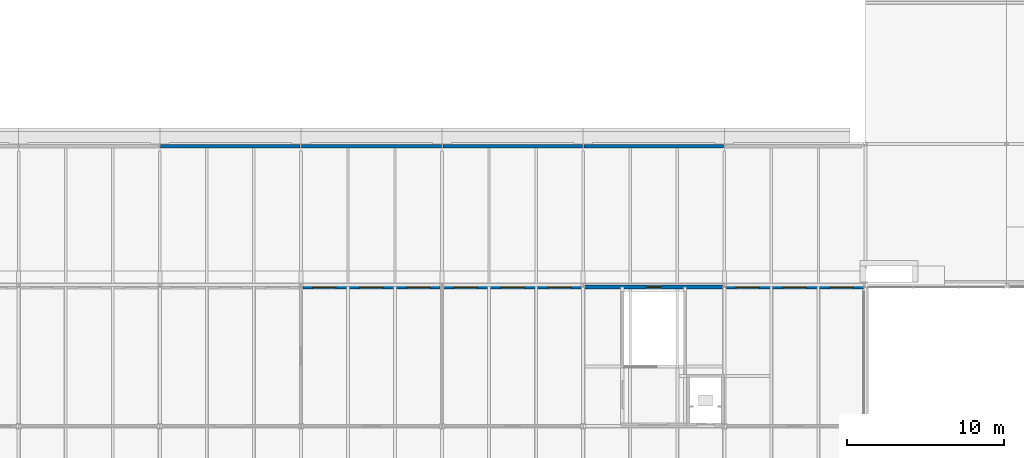
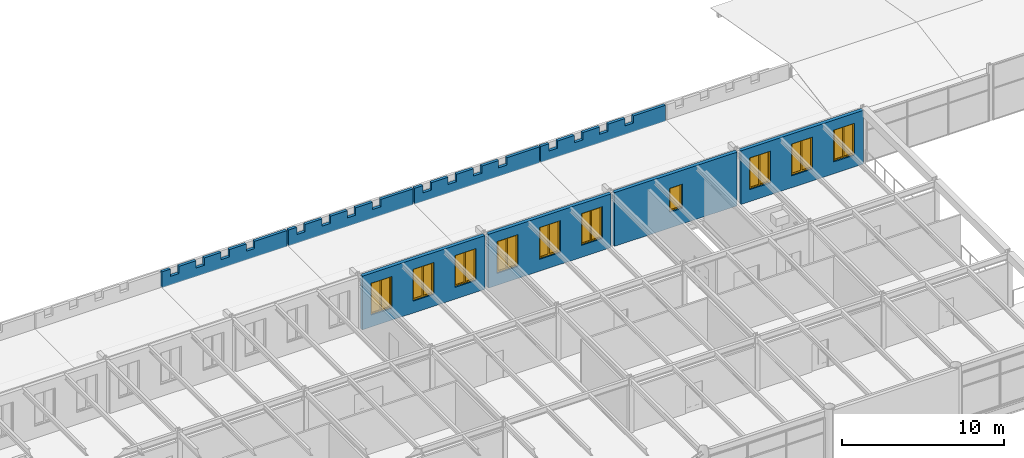
# One storey, part 75 of 123: 10 windows, 8 walls, 10 openings.
"""IFC4 building model written with IfcOpenShell, lengths in metres."""

from ifc_helpers import new_model, si_unit, direction, frame, frame_2d, origin, place, context, subcontext, project, spatial, polyline, rectangle, outline, extrude, material, layer, layer_set, type_object, element, fill, save


model = new_model("IFC4")

# Units and contexts
model_context = context("Model", 3, precision=1e-05, world=origin(), true_north=direction((0.0, 1.0)))
body_context = subcontext(model_context, "Body", "Model", "MODEL_VIEW")
ifc_project = project(units=[si_unit("LENGTHUNIT", "METRE"), si_unit("AREAUNIT", "SQUARE_METRE"), si_unit("VOLUMEUNIT", "CUBIC_METRE"), si_unit("PLANEANGLEUNIT", "RADIAN"), si_unit("MASSUNIT", "GRAM", prefix="KILO")], contexts=[model_context])

# Site, building, storey
site_placement = place(None, origin())
site = spatial("IfcSite", under=ifc_project, at=site_placement, CompositionType="ELEMENT")
building_placement = place(site_placement, origin())
building = spatial("IfcBuilding", under=site, at=building_placement, Name="Baradari Gate Terminus", CompositionType="ELEMENT")
storey_placement = place(building_placement, frame((0.0, 0.0, 7.5)))
storey = spatial("IfcBuildingStorey", under=building, at=storey_placement, Name="L01", CompositionType="ELEMENT", Elevation=7.5)

# Wall, openings, windows
ifc_material_1 = material(Name="Laterite masonry", Category="masonry")
ifc_layer_1 = layer(ifc_material_1, 0.25)
ifc_layer_set_1 = layer_set([ifc_layer_1], Name="Laterite masonry")
wall_type_1 = type_object("IfcWallType", Name="Laterite masonry wall WP-1 250", PredefinedType="SOLIDWALL", material=ifc_layer_set_1)
wall_1_placement = place(storey_placement, frame((99.128173828125, 107.87841796875, 0.0), z_axis=(0.0, 0.0, 1.0), x_axis=(1.0, 0.0, 0.0)))
wall_1 = element("IfcWall", 1, at=wall_1_placement, inside=storey, type_object=wall_type_1, Name="arcade gallery wall HN bay 12 L01", PredefinedType="SOLIDWALL", context=body_context, shape_type="SweptSolid", body=[
    extrude(rectangle(XDim=8.74365234375, YDim=0.25, at=frame_2d((4.371826171875, 0.0))), origin(), (0.0, 0.0, 1.0), 4.050048828125),
])
opening_1_placement = place(wall_1_placement, frame((0.621826171875, 0.0, 0.89990234375)))
opening_1 = element("IfcOpeningElement", 2, at=opening_1_placement, cuts=wall_1, Name="Opening W1", PredefinedType="OPENING", context=body_context, shape_type="SweptSolid", body=[
    extrude(rectangle(XDim=1.5, YDim=2.39990234375, at=frame_2d((0.75, 1.199951171875))), frame((0.0, 0.135009765625, 0.0), z_axis=(0.0, -1.0, 0.0), x_axis=(1.0, 0.0, 0.0)), (0.0, 0.0, 1.0), 0.27001953125),
])
opening_2_placement = place(wall_1_placement, frame((3.621826171875, 0.0, 0.89990234375)))
opening_2 = element("IfcOpeningElement", 3, at=opening_2_placement, cuts=wall_1, Name="Opening W1", PredefinedType="OPENING", context=body_context, shape_type="SweptSolid", body=[
    extrude(rectangle(XDim=1.5, YDim=2.39990234375, at=frame_2d((0.75, 1.199951171875))), frame((0.0, 0.135009765625, 0.0), z_axis=(0.0, -1.0, 0.0), x_axis=(1.0, 0.0, 0.0)), (0.0, 0.0, 1.0), 0.27001953125),
])
opening_3_placement = place(wall_1_placement, frame((6.621826171875, 0.0, 0.89990234375)))
opening_3 = element("IfcOpeningElement", 4, at=opening_3_placement, cuts=wall_1, Name="Opening W1", PredefinedType="OPENING", context=body_context, shape_type="SweptSolid", body=[
    extrude(rectangle(XDim=1.5, YDim=2.39990234375, at=frame_2d((0.75, 1.199951171875))), frame((0.0, 0.135009765625, 0.0), z_axis=(0.0, -1.0, 0.0), x_axis=(1.0, 0.0, 0.0)), (0.0, 0.0, 1.0), 0.27001953125),
])
ifc_material_2 = material(Name="Aluminium 6063-T6", Category="aluminium")
window_type_1 = type_object("IfcWindowType", Name="Punched window, 2-light W1 1500x2400", PartitioningType="DOUBLE_PANEL_VERTICAL", PredefinedType="WINDOW", material=ifc_material_2)
window_1_placement = place(opening_1_placement, origin())
window_1 = element("IfcWindow", 5, at=window_1_placement, inside=storey, type_object=window_type_1, Name="Window W1 HN/11", OverallHeight=2.4, OverallWidth=1.5, PartitioningType="DOUBLE_PANEL_VERTICAL", PredefinedType="WINDOW", context=body_context, shape_type="SweptSolid", body=[
    extrude(outline(polyline([(0.0, 0.0), (1.5, 0.0), (1.5, 2.39990234375), (0.0, 2.39990234375), (0.0, 0.0)]), holes=[polyline([(0.070068359375, 0.070068359375), (1.429931640625, 0.070068359375), (1.429931640625, 2.329833984375), (0.070068359375, 2.329833984375), (0.070068359375, 0.070068359375)])]), frame((0.0, 0.030029296875, 0.0), z_axis=(0.0, -1.0, 0.0), x_axis=(1.0, 0.0, 0.0)), (0.0, 0.0, 1.0), 0.06005859375),
    extrude(rectangle(XDim=0.0400390625, YDim=2.259765625, at=frame_2d((0.75, 1.199951171875))), frame((0.0, 0.02197265625, 0.0), z_axis=(0.0, -1.0, 0.0), x_axis=(1.0, 0.0, 0.0)), (0.0, 0.0, 1.0), 0.0439453125),
    extrude(outline(polyline([(0.070068359375, 0.070068359375), (0.72998046875, 0.070068359375), (0.72998046875, 2.329833984375), (0.070068359375, 2.329833984375), (0.070068359375, 0.070068359375)]), holes=[polyline([(0.10009765625, 0.10009765625), (0.699951171875, 0.10009765625), (0.699951171875, 2.2998046875), (0.10009765625, 2.2998046875), (0.10009765625, 0.10009765625)])]), frame((0.0, 0.0224609375, 0.0), z_axis=(0.0, -1.0, 0.0), x_axis=(1.0, 0.0, 0.0)), (0.0, 0.0, 1.0), 0.044921875),
    extrude(rectangle(XDim=0.599853515625, YDim=2.19970703125, at=frame_2d((0.39990234375, 1.199951171875))), frame((0.0, 0.006103515625, 0.0), z_axis=(0.0, -1.0, 0.0), x_axis=(1.0, 0.0, 0.0)), (0.0, 0.0, 1.0), 0.01220703125),
    extrude(outline(polyline([(0.77001953125, 0.070068359375), (1.429931640625, 0.070068359375), (1.429931640625, 2.329833984375), (0.77001953125, 2.329833984375), (0.77001953125, 0.070068359375)]), holes=[polyline([(0.800048828125, 0.10009765625), (1.39990234375, 0.10009765625), (1.39990234375, 2.2998046875), (0.800048828125, 2.2998046875), (0.800048828125, 0.10009765625)])]), frame((0.0, 0.0224609375, 0.0), z_axis=(0.0, -1.0, 0.0), x_axis=(1.0, 0.0, 0.0)), (0.0, 0.0, 1.0), 0.044921875),
    extrude(rectangle(XDim=0.599853515625, YDim=2.19970703125, at=frame_2d((1.10009765625, 1.199951171875))), frame((0.0, 0.006103515625, 0.0), z_axis=(0.0, -1.0, 0.0), x_axis=(1.0, 0.0, 0.0)), (0.0, 0.0, 1.0), 0.01220703125),
])
fill(opening_1, window_1)
window_2_placement = place(opening_2_placement, origin())
window_2 = element("IfcWindow", 6, at=window_2_placement, inside=storey, type_object=window_type_1, Name="Window W1 HN/11", OverallHeight=2.4, OverallWidth=1.5, PartitioningType="DOUBLE_PANEL_VERTICAL", PredefinedType="WINDOW", context=body_context, shape_type="SweptSolid", body=[
    extrude(outline(polyline([(0.0, 0.0), (1.5, 0.0), (1.5, 2.39990234375), (0.0, 2.39990234375), (0.0, 0.0)]), holes=[polyline([(0.070068359375, 0.070068359375), (1.429931640625, 0.070068359375), (1.429931640625, 2.329833984375), (0.070068359375, 2.329833984375), (0.070068359375, 0.070068359375)])]), frame((0.0, 0.030029296875, 0.0), z_axis=(0.0, -1.0, 0.0), x_axis=(1.0, 0.0, 0.0)), (0.0, 0.0, 1.0), 0.06005859375),
    extrude(rectangle(XDim=0.0400390625, YDim=2.259765625, at=frame_2d((0.75, 1.199951171875))), frame((0.0, 0.02197265625, 0.0), z_axis=(0.0, -1.0, 0.0), x_axis=(1.0, 0.0, 0.0)), (0.0, 0.0, 1.0), 0.0439453125),
    extrude(outline(polyline([(0.070068359375, 0.070068359375), (0.72998046875, 0.070068359375), (0.72998046875, 2.329833984375), (0.070068359375, 2.329833984375), (0.070068359375, 0.070068359375)]), holes=[polyline([(0.10009765625, 0.10009765625), (0.699951171875, 0.10009765625), (0.699951171875, 2.2998046875), (0.10009765625, 2.2998046875), (0.10009765625, 0.10009765625)])]), frame((0.0, 0.0224609375, 0.0), z_axis=(0.0, -1.0, 0.0), x_axis=(1.0, 0.0, 0.0)), (0.0, 0.0, 1.0), 0.044921875),
    extrude(rectangle(XDim=0.599853515625, YDim=2.19970703125, at=frame_2d((0.39990234375, 1.199951171875))), frame((0.0, 0.006103515625, 0.0), z_axis=(0.0, -1.0, 0.0), x_axis=(1.0, 0.0, 0.0)), (0.0, 0.0, 1.0), 0.01220703125),
    extrude(outline(polyline([(0.77001953125, 0.070068359375), (1.429931640625, 0.070068359375), (1.429931640625, 2.329833984375), (0.77001953125, 2.329833984375), (0.77001953125, 0.070068359375)]), holes=[polyline([(0.800048828125, 0.10009765625), (1.39990234375, 0.10009765625), (1.39990234375, 2.2998046875), (0.800048828125, 2.2998046875), (0.800048828125, 0.10009765625)])]), frame((0.0, 0.0224609375, 0.0), z_axis=(0.0, -1.0, 0.0), x_axis=(1.0, 0.0, 0.0)), (0.0, 0.0, 1.0), 0.044921875),
    extrude(rectangle(XDim=0.599853515625, YDim=2.19970703125, at=frame_2d((1.10009765625, 1.199951171875))), frame((0.0, 0.006103515625, 0.0), z_axis=(0.0, -1.0, 0.0), x_axis=(1.0, 0.0, 0.0)), (0.0, 0.0, 1.0), 0.01220703125),
])
fill(opening_2, window_2)
window_3_placement = place(opening_3_placement, origin())
window_3 = element("IfcWindow", 7, at=window_3_placement, inside=storey, type_object=window_type_1, Name="Window W1 HN/11", OverallHeight=2.4, OverallWidth=1.5, PartitioningType="DOUBLE_PANEL_VERTICAL", PredefinedType="WINDOW", context=body_context, shape_type="SweptSolid", body=[
    extrude(outline(polyline([(0.0, 0.0), (1.5, 0.0), (1.5, 2.39990234375), (0.0, 2.39990234375), (0.0, 0.0)]), holes=[polyline([(0.070068359375, 0.070068359375), (1.429931640625, 0.070068359375), (1.429931640625, 2.329833984375), (0.070068359375, 2.329833984375), (0.070068359375, 0.070068359375)])]), frame((0.0, 0.030029296875, 0.0), z_axis=(0.0, -1.0, 0.0), x_axis=(1.0, 0.0, 0.0)), (0.0, 0.0, 1.0), 0.06005859375),
    extrude(rectangle(XDim=0.0400390625, YDim=2.259765625, at=frame_2d((0.75, 1.199951171875))), frame((0.0, 0.02197265625, 0.0), z_axis=(0.0, -1.0, 0.0), x_axis=(1.0, 0.0, 0.0)), (0.0, 0.0, 1.0), 0.0439453125),
    extrude(outline(polyline([(0.070068359375, 0.070068359375), (0.72998046875, 0.070068359375), (0.72998046875, 2.329833984375), (0.070068359375, 2.329833984375), (0.070068359375, 0.070068359375)]), holes=[polyline([(0.10009765625, 0.10009765625), (0.699951171875, 0.10009765625), (0.699951171875, 2.2998046875), (0.10009765625, 2.2998046875), (0.10009765625, 0.10009765625)])]), frame((0.0, 0.0224609375, 0.0), z_axis=(0.0, -1.0, 0.0), x_axis=(1.0, 0.0, 0.0)), (0.0, 0.0, 1.0), 0.044921875),
    extrude(rectangle(XDim=0.599853515625, YDim=2.19970703125, at=frame_2d((0.39990234375, 1.199951171875))), frame((0.0, 0.006103515625, 0.0), z_axis=(0.0, -1.0, 0.0), x_axis=(1.0, 0.0, 0.0)), (0.0, 0.0, 1.0), 0.01220703125),
    extrude(outline(polyline([(0.77001953125, 0.070068359375), (1.429931640625, 0.070068359375), (1.429931640625, 2.329833984375), (0.77001953125, 2.329833984375), (0.77001953125, 0.070068359375)]), holes=[polyline([(0.800048828125, 0.10009765625), (1.39990234375, 0.10009765625), (1.39990234375, 2.2998046875), (0.800048828125, 2.2998046875), (0.800048828125, 0.10009765625)])]), frame((0.0, 0.0224609375, 0.0), z_axis=(0.0, -1.0, 0.0), x_axis=(1.0, 0.0, 0.0)), (0.0, 0.0, 1.0), 0.044921875),
    extrude(rectangle(XDim=0.599853515625, YDim=2.19970703125, at=frame_2d((1.10009765625, 1.199951171875))), frame((0.0, 0.006103515625, 0.0), z_axis=(0.0, -1.0, 0.0), x_axis=(1.0, 0.0, 0.0)), (0.0, 0.0, 1.0), 0.01220703125),
])
fill(opening_3, window_3)

wall_2_placement = place(storey_placement, frame((108.128173828125, 107.87841796875, 0.0), z_axis=(0.0, 0.0, 1.0), x_axis=(1.0, 0.0, 0.0)))
wall_2 = element("IfcWall", 8, at=wall_2_placement, inside=storey, type_object=wall_type_1, Name="arcade gallery wall HN bay 13 L01", PredefinedType="SOLIDWALL", context=body_context, shape_type="SweptSolid", body=[
    extrude(rectangle(XDim=8.74365234375, YDim=0.25, at=frame_2d((4.371826171875, 0.0))), origin(), (0.0, 0.0, 1.0), 4.050048828125),
])
opening_4_placement = place(wall_2_placement, frame((0.621826171875, 0.0, 0.89990234375)))
opening_4 = element("IfcOpeningElement", 9, at=opening_4_placement, cuts=wall_2, Name="Opening W1", PredefinedType="OPENING", context=body_context, shape_type="SweptSolid", body=[
    extrude(rectangle(XDim=1.5, YDim=2.39990234375, at=frame_2d((0.75, 1.199951171875))), frame((0.0, 0.135009765625, 0.0), z_axis=(0.0, -1.0, 0.0), x_axis=(1.0, 0.0, 0.0)), (0.0, 0.0, 1.0), 0.27001953125),
])
opening_5_placement = place(wall_2_placement, frame((3.621826171875, 0.0, 0.89990234375)))
opening_5 = element("IfcOpeningElement", 10, at=opening_5_placement, cuts=wall_2, Name="Opening W1", PredefinedType="OPENING", context=body_context, shape_type="SweptSolid", body=[
    extrude(rectangle(XDim=1.5, YDim=2.39990234375, at=frame_2d((0.75, 1.199951171875))), frame((0.0, 0.135009765625, 0.0), z_axis=(0.0, -1.0, 0.0), x_axis=(1.0, 0.0, 0.0)), (0.0, 0.0, 1.0), 0.27001953125),
])
opening_6_placement = place(wall_2_placement, frame((6.621826171875, 0.0, 0.89990234375)))
opening_6 = element("IfcOpeningElement", 11, at=opening_6_placement, cuts=wall_2, Name="Opening W1", PredefinedType="OPENING", context=body_context, shape_type="SweptSolid", body=[
    extrude(rectangle(XDim=1.5, YDim=2.39990234375, at=frame_2d((0.75, 1.199951171875))), frame((0.0, 0.135009765625, 0.0), z_axis=(0.0, -1.0, 0.0), x_axis=(1.0, 0.0, 0.0)), (0.0, 0.0, 1.0), 0.27001953125),
])
window_4_placement = place(opening_4_placement, origin())
window_4 = element("IfcWindow", 12, at=window_4_placement, inside=storey, type_object=window_type_1, Name="Window W1 HN/12", OverallHeight=2.4, OverallWidth=1.5, PartitioningType="DOUBLE_PANEL_VERTICAL", PredefinedType="WINDOW", context=body_context, shape_type="SweptSolid", body=[
    extrude(outline(polyline([(0.0, 0.0), (1.5, 0.0), (1.5, 2.39990234375), (0.0, 2.39990234375), (0.0, 0.0)]), holes=[polyline([(0.070068359375, 0.070068359375), (1.429931640625, 0.070068359375), (1.429931640625, 2.329833984375), (0.070068359375, 2.329833984375), (0.070068359375, 0.070068359375)])]), frame((0.0, 0.030029296875, 0.0), z_axis=(0.0, -1.0, 0.0), x_axis=(1.0, 0.0, 0.0)), (0.0, 0.0, 1.0), 0.06005859375),
    extrude(rectangle(XDim=0.0400390625, YDim=2.259765625, at=frame_2d((0.75, 1.199951171875))), frame((0.0, 0.02197265625, 0.0), z_axis=(0.0, -1.0, 0.0), x_axis=(1.0, 0.0, 0.0)), (0.0, 0.0, 1.0), 0.0439453125),
    extrude(outline(polyline([(0.070068359375, 0.070068359375), (0.72998046875, 0.070068359375), (0.72998046875, 2.329833984375), (0.070068359375, 2.329833984375), (0.070068359375, 0.070068359375)]), holes=[polyline([(0.10009765625, 0.10009765625), (0.699951171875, 0.10009765625), (0.699951171875, 2.2998046875), (0.10009765625, 2.2998046875), (0.10009765625, 0.10009765625)])]), frame((0.0, 0.0224609375, 0.0), z_axis=(0.0, -1.0, 0.0), x_axis=(1.0, 0.0, 0.0)), (0.0, 0.0, 1.0), 0.044921875),
    extrude(rectangle(XDim=0.599853515625, YDim=2.19970703125, at=frame_2d((0.39990234375, 1.199951171875))), frame((0.0, 0.006103515625, 0.0), z_axis=(0.0, -1.0, 0.0), x_axis=(1.0, 0.0, 0.0)), (0.0, 0.0, 1.0), 0.01220703125),
    extrude(outline(polyline([(0.77001953125, 0.070068359375), (1.429931640625, 0.070068359375), (1.429931640625, 2.329833984375), (0.77001953125, 2.329833984375), (0.77001953125, 0.070068359375)]), holes=[polyline([(0.800048828125, 0.10009765625), (1.39990234375, 0.10009765625), (1.39990234375, 2.2998046875), (0.800048828125, 2.2998046875), (0.800048828125, 0.10009765625)])]), frame((0.0, 0.0224609375, 0.0), z_axis=(0.0, -1.0, 0.0), x_axis=(1.0, 0.0, 0.0)), (0.0, 0.0, 1.0), 0.044921875),
    extrude(rectangle(XDim=0.599853515625, YDim=2.19970703125, at=frame_2d((1.10009765625, 1.199951171875))), frame((0.0, 0.006103515625, 0.0), z_axis=(0.0, -1.0, 0.0), x_axis=(1.0, 0.0, 0.0)), (0.0, 0.0, 1.0), 0.01220703125),
])
fill(opening_4, window_4)
window_5_placement = place(opening_5_placement, origin())
window_5 = element("IfcWindow", 13, at=window_5_placement, inside=storey, type_object=window_type_1, Name="Window W1 HN/12", OverallHeight=2.4, OverallWidth=1.5, PartitioningType="DOUBLE_PANEL_VERTICAL", PredefinedType="WINDOW", context=body_context, shape_type="SweptSolid", body=[
    extrude(outline(polyline([(0.0, 0.0), (1.5, 0.0), (1.5, 2.39990234375), (0.0, 2.39990234375), (0.0, 0.0)]), holes=[polyline([(0.070068359375, 0.070068359375), (1.429931640625, 0.070068359375), (1.429931640625, 2.329833984375), (0.070068359375, 2.329833984375), (0.070068359375, 0.070068359375)])]), frame((0.0, 0.030029296875, 0.0), z_axis=(0.0, -1.0, 0.0), x_axis=(1.0, 0.0, 0.0)), (0.0, 0.0, 1.0), 0.06005859375),
    extrude(rectangle(XDim=0.0400390625, YDim=2.259765625, at=frame_2d((0.75, 1.199951171875))), frame((0.0, 0.02197265625, 0.0), z_axis=(0.0, -1.0, 0.0), x_axis=(1.0, 0.0, 0.0)), (0.0, 0.0, 1.0), 0.0439453125),
    extrude(outline(polyline([(0.070068359375, 0.070068359375), (0.72998046875, 0.070068359375), (0.72998046875, 2.329833984375), (0.070068359375, 2.329833984375), (0.070068359375, 0.070068359375)]), holes=[polyline([(0.10009765625, 0.10009765625), (0.699951171875, 0.10009765625), (0.699951171875, 2.2998046875), (0.10009765625, 2.2998046875), (0.10009765625, 0.10009765625)])]), frame((0.0, 0.0224609375, 0.0), z_axis=(0.0, -1.0, 0.0), x_axis=(1.0, 0.0, 0.0)), (0.0, 0.0, 1.0), 0.044921875),
    extrude(rectangle(XDim=0.599853515625, YDim=2.19970703125, at=frame_2d((0.39990234375, 1.199951171875))), frame((0.0, 0.006103515625, 0.0), z_axis=(0.0, -1.0, 0.0), x_axis=(1.0, 0.0, 0.0)), (0.0, 0.0, 1.0), 0.01220703125),
    extrude(outline(polyline([(0.77001953125, 0.070068359375), (1.429931640625, 0.070068359375), (1.429931640625, 2.329833984375), (0.77001953125, 2.329833984375), (0.77001953125, 0.070068359375)]), holes=[polyline([(0.800048828125, 0.10009765625), (1.39990234375, 0.10009765625), (1.39990234375, 2.2998046875), (0.800048828125, 2.2998046875), (0.800048828125, 0.10009765625)])]), frame((0.0, 0.0224609375, 0.0), z_axis=(0.0, -1.0, 0.0), x_axis=(1.0, 0.0, 0.0)), (0.0, 0.0, 1.0), 0.044921875),
    extrude(rectangle(XDim=0.599853515625, YDim=2.19970703125, at=frame_2d((1.10009765625, 1.199951171875))), frame((0.0, 0.006103515625, 0.0), z_axis=(0.0, -1.0, 0.0), x_axis=(1.0, 0.0, 0.0)), (0.0, 0.0, 1.0), 0.01220703125),
])
fill(opening_5, window_5)
window_6_placement = place(opening_6_placement, origin())
window_6 = element("IfcWindow", 14, at=window_6_placement, inside=storey, type_object=window_type_1, Name="Window W1 HN/12", OverallHeight=2.4, OverallWidth=1.5, PartitioningType="DOUBLE_PANEL_VERTICAL", PredefinedType="WINDOW", context=body_context, shape_type="SweptSolid", body=[
    extrude(outline(polyline([(0.0, 0.0), (1.5, 0.0), (1.5, 2.39990234375), (0.0, 2.39990234375), (0.0, 0.0)]), holes=[polyline([(0.070068359375, 0.070068359375), (1.429931640625, 0.070068359375), (1.429931640625, 2.329833984375), (0.070068359375, 2.329833984375), (0.070068359375, 0.070068359375)])]), frame((0.0, 0.030029296875, 0.0), z_axis=(0.0, -1.0, 0.0), x_axis=(1.0, 0.0, 0.0)), (0.0, 0.0, 1.0), 0.06005859375),
    extrude(rectangle(XDim=0.0400390625, YDim=2.259765625, at=frame_2d((0.75, 1.199951171875))), frame((0.0, 0.02197265625, 0.0), z_axis=(0.0, -1.0, 0.0), x_axis=(1.0, 0.0, 0.0)), (0.0, 0.0, 1.0), 0.0439453125),
    extrude(outline(polyline([(0.070068359375, 0.070068359375), (0.72998046875, 0.070068359375), (0.72998046875, 2.329833984375), (0.070068359375, 2.329833984375), (0.070068359375, 0.070068359375)]), holes=[polyline([(0.10009765625, 0.10009765625), (0.699951171875, 0.10009765625), (0.699951171875, 2.2998046875), (0.10009765625, 2.2998046875), (0.10009765625, 0.10009765625)])]), frame((0.0, 0.0224609375, 0.0), z_axis=(0.0, -1.0, 0.0), x_axis=(1.0, 0.0, 0.0)), (0.0, 0.0, 1.0), 0.044921875),
    extrude(rectangle(XDim=0.599853515625, YDim=2.19970703125, at=frame_2d((0.39990234375, 1.199951171875))), frame((0.0, 0.006103515625, 0.0), z_axis=(0.0, -1.0, 0.0), x_axis=(1.0, 0.0, 0.0)), (0.0, 0.0, 1.0), 0.01220703125),
    extrude(outline(polyline([(0.77001953125, 0.070068359375), (1.429931640625, 0.070068359375), (1.429931640625, 2.329833984375), (0.77001953125, 2.329833984375), (0.77001953125, 0.070068359375)]), holes=[polyline([(0.800048828125, 0.10009765625), (1.39990234375, 0.10009765625), (1.39990234375, 2.2998046875), (0.800048828125, 2.2998046875), (0.800048828125, 0.10009765625)])]), frame((0.0, 0.0224609375, 0.0), z_axis=(0.0, -1.0, 0.0), x_axis=(1.0, 0.0, 0.0)), (0.0, 0.0, 1.0), 0.044921875),
    extrude(rectangle(XDim=0.599853515625, YDim=2.19970703125, at=frame_2d((1.10009765625, 1.199951171875))), frame((0.0, 0.006103515625, 0.0), z_axis=(0.0, -1.0, 0.0), x_axis=(1.0, 0.0, 0.0)), (0.0, 0.0, 1.0), 0.01220703125),
])
fill(opening_6, window_6)

# Wall, opening, window
wall_3_placement = place(storey_placement, frame((117.128173828125, 107.87841796875, 0.0), z_axis=(0.0, 0.0, 1.0), x_axis=(1.0, 0.0, 0.0)))
wall_3 = element("IfcWall", 15, at=wall_3_placement, inside=storey, type_object=wall_type_1, Name="arcade gallery wall HN bay 14 L01", PredefinedType="SOLIDWALL", context=body_context, shape_type="SweptSolid", body=[
    extrude(rectangle(XDim=8.74365234375, YDim=0.25, at=frame_2d((4.371826171875, 0.0))), origin(), (0.0, 0.0, 1.0), 4.050048828125),
])
opening_7_placement = place(wall_3_placement, frame((3.921875, 0.0, 1.199951171875)))
opening_7 = element("IfcOpeningElement", 16, at=opening_7_placement, cuts=wall_3, Name="Opening W6", PredefinedType="OPENING", context=body_context, shape_type="SweptSolid", body=[
    extrude(rectangle(XDim=0.89990234375, YDim=1.800048828125, at=frame_2d((0.449951171875, 0.89990234375))), frame((0.0, 0.135009765625, 0.0), z_axis=(0.0, -1.0, 0.0), x_axis=(1.0, 0.0, 0.0)), (0.0, 0.0, 1.0), 0.27001953125),
])
ifc_material_3 = material(Name="Aluminium 6063-T6", Category="aluminium")
window_type_2 = type_object("IfcWindowType", Name="Stair light W6 900x1800", PartitioningType="SINGLE_PANEL", PredefinedType="WINDOW", material=ifc_material_3)
window_7_placement = place(opening_7_placement, origin())
window_7 = element("IfcWindow", 17, at=window_7_placement, inside=storey, type_object=window_type_2, Name="Window W6 HN/13", OverallHeight=1.8, OverallWidth=0.9, PartitioningType="SINGLE_PANEL", PredefinedType="WINDOW", context=body_context, shape_type="SweptSolid", body=[
    extrude(outline(polyline([(0.0, 0.0), (0.89990234375, 0.0), (0.89990234375, 1.800048828125), (0.0, 1.800048828125), (0.0, 0.0)]), holes=[polyline([(0.070068359375, 0.070068359375), (0.829833984375, 0.070068359375), (0.829833984375, 1.72998046875), (0.070068359375, 1.72998046875), (0.070068359375, 0.070068359375)])]), frame((0.0, 0.030029296875, 0.0), z_axis=(0.0, -1.0, 0.0), x_axis=(1.0, 0.0, 0.0)), (0.0, 0.0, 1.0), 0.06005859375),
    extrude(outline(polyline([(0.070068359375, 0.070068359375), (0.829833984375, 0.070068359375), (0.829833984375, 1.72998046875), (0.070068359375, 1.72998046875), (0.070068359375, 0.070068359375)]), holes=[polyline([(0.10009765625, 0.10009765625), (0.7998046875, 0.10009765625), (0.7998046875, 1.699951171875), (0.10009765625, 1.699951171875), (0.10009765625, 0.10009765625)])]), frame((0.0, 0.0224609375, 0.0), z_axis=(0.0, -1.0, 0.0), x_axis=(1.0, 0.0, 0.0)), (0.0, 0.0, 1.0), 0.044921875),
    extrude(rectangle(XDim=0.69970703125, YDim=1.599853515625, at=frame_2d((0.449951171875, 0.89990234375))), frame((0.0, 0.006103515625, 0.0), z_axis=(0.0, -1.0, 0.0), x_axis=(1.0, 0.0, 0.0)), (0.0, 0.0, 1.0), 0.01220703125),
])
fill(opening_7, window_7)

# Wall, openings, windows
wall_4_placement = place(storey_placement, frame((126.128173828125, 107.87841796875, 0.0), z_axis=(0.0, 0.0, 1.0), x_axis=(1.0, 0.0, 0.0)))
wall_4 = element("IfcWall", 18, at=wall_4_placement, inside=storey, type_object=wall_type_1, Name="arcade gallery wall HN bay 15 L01", PredefinedType="SOLIDWALL", context=body_context, shape_type="SweptSolid", body=[
    extrude(rectangle(XDim=8.74365234375, YDim=0.25, at=frame_2d((4.371826171875, 0.0))), origin(), (0.0, 0.0, 1.0), 4.050048828125),
])
opening_8_placement = place(wall_4_placement, frame((0.621826171875, 0.0, 0.89990234375)))
opening_8 = element("IfcOpeningElement", 19, at=opening_8_placement, cuts=wall_4, Name="Opening W1", PredefinedType="OPENING", context=body_context, shape_type="SweptSolid", body=[
    extrude(rectangle(XDim=1.5, YDim=2.39990234375, at=frame_2d((0.75, 1.199951171875))), frame((0.0, 0.135009765625, 0.0), z_axis=(0.0, -1.0, 0.0), x_axis=(1.0, 0.0, 0.0)), (0.0, 0.0, 1.0), 0.27001953125),
])
opening_9_placement = place(wall_4_placement, frame((3.621826171875, 0.0, 0.89990234375)))
opening_9 = element("IfcOpeningElement", 20, at=opening_9_placement, cuts=wall_4, Name="Opening W1", PredefinedType="OPENING", context=body_context, shape_type="SweptSolid", body=[
    extrude(rectangle(XDim=1.5, YDim=2.39990234375, at=frame_2d((0.75, 1.199951171875))), frame((0.0, 0.135009765625, 0.0), z_axis=(0.0, -1.0, 0.0), x_axis=(1.0, 0.0, 0.0)), (0.0, 0.0, 1.0), 0.27001953125),
])
opening_10_placement = place(wall_4_placement, frame((6.621826171875, 0.0, 0.89990234375)))
opening_10 = element("IfcOpeningElement", 21, at=opening_10_placement, cuts=wall_4, Name="Opening W1", PredefinedType="OPENING", context=body_context, shape_type="SweptSolid", body=[
    extrude(rectangle(XDim=1.5, YDim=2.39990234375, at=frame_2d((0.75, 1.199951171875))), frame((0.0, 0.135009765625, 0.0), z_axis=(0.0, -1.0, 0.0), x_axis=(1.0, 0.0, 0.0)), (0.0, 0.0, 1.0), 0.27001953125),
])
window_8_placement = place(opening_8_placement, origin())
window_8 = element("IfcWindow", 22, at=window_8_placement, inside=storey, type_object=window_type_1, Name="Window W1 HN/14", OverallHeight=2.4, OverallWidth=1.5, PartitioningType="DOUBLE_PANEL_VERTICAL", PredefinedType="WINDOW", context=body_context, shape_type="SweptSolid", body=[
    extrude(outline(polyline([(0.0, 0.0), (1.5, 0.0), (1.5, 2.39990234375), (0.0, 2.39990234375), (0.0, 0.0)]), holes=[polyline([(0.070068359375, 0.070068359375), (1.429931640625, 0.070068359375), (1.429931640625, 2.329833984375), (0.070068359375, 2.329833984375), (0.070068359375, 0.070068359375)])]), frame((0.0, 0.030029296875, 0.0), z_axis=(0.0, -1.0, 0.0), x_axis=(1.0, 0.0, 0.0)), (0.0, 0.0, 1.0), 0.06005859375),
    extrude(rectangle(XDim=0.0400390625, YDim=2.259765625, at=frame_2d((0.75, 1.199951171875))), frame((0.0, 0.02197265625, 0.0), z_axis=(0.0, -1.0, 0.0), x_axis=(1.0, 0.0, 0.0)), (0.0, 0.0, 1.0), 0.0439453125),
    extrude(outline(polyline([(0.070068359375, 0.070068359375), (0.72998046875, 0.070068359375), (0.72998046875, 2.329833984375), (0.070068359375, 2.329833984375), (0.070068359375, 0.070068359375)]), holes=[polyline([(0.10009765625, 0.10009765625), (0.699951171875, 0.10009765625), (0.699951171875, 2.2998046875), (0.10009765625, 2.2998046875), (0.10009765625, 0.10009765625)])]), frame((0.0, 0.0224609375, 0.0), z_axis=(0.0, -1.0, 0.0), x_axis=(1.0, 0.0, 0.0)), (0.0, 0.0, 1.0), 0.044921875),
    extrude(rectangle(XDim=0.599853515625, YDim=2.19970703125, at=frame_2d((0.39990234375, 1.199951171875))), frame((0.0, 0.006103515625, 0.0), z_axis=(0.0, -1.0, 0.0), x_axis=(1.0, 0.0, 0.0)), (0.0, 0.0, 1.0), 0.01220703125),
    extrude(outline(polyline([(0.77001953125, 0.070068359375), (1.429931640625, 0.070068359375), (1.429931640625, 2.329833984375), (0.77001953125, 2.329833984375), (0.77001953125, 0.070068359375)]), holes=[polyline([(0.800048828125, 0.10009765625), (1.39990234375, 0.10009765625), (1.39990234375, 2.2998046875), (0.800048828125, 2.2998046875), (0.800048828125, 0.10009765625)])]), frame((0.0, 0.0224609375, 0.0), z_axis=(0.0, -1.0, 0.0), x_axis=(1.0, 0.0, 0.0)), (0.0, 0.0, 1.0), 0.044921875),
    extrude(rectangle(XDim=0.599853515625, YDim=2.19970703125, at=frame_2d((1.10009765625, 1.199951171875))), frame((0.0, 0.006103515625, 0.0), z_axis=(0.0, -1.0, 0.0), x_axis=(1.0, 0.0, 0.0)), (0.0, 0.0, 1.0), 0.01220703125),
])
fill(opening_8, window_8)
window_9_placement = place(opening_9_placement, origin())
window_9 = element("IfcWindow", 23, at=window_9_placement, inside=storey, type_object=window_type_1, Name="Window W1 HN/14", OverallHeight=2.4, OverallWidth=1.5, PartitioningType="DOUBLE_PANEL_VERTICAL", PredefinedType="WINDOW", context=body_context, shape_type="SweptSolid", body=[
    extrude(outline(polyline([(0.0, 0.0), (1.5, 0.0), (1.5, 2.39990234375), (0.0, 2.39990234375), (0.0, 0.0)]), holes=[polyline([(0.070068359375, 0.070068359375), (1.429931640625, 0.070068359375), (1.429931640625, 2.329833984375), (0.070068359375, 2.329833984375), (0.070068359375, 0.070068359375)])]), frame((0.0, 0.030029296875, 0.0), z_axis=(0.0, -1.0, 0.0), x_axis=(1.0, 0.0, 0.0)), (0.0, 0.0, 1.0), 0.06005859375),
    extrude(rectangle(XDim=0.0400390625, YDim=2.259765625, at=frame_2d((0.75, 1.199951171875))), frame((0.0, 0.02197265625, 0.0), z_axis=(0.0, -1.0, 0.0), x_axis=(1.0, 0.0, 0.0)), (0.0, 0.0, 1.0), 0.0439453125),
    extrude(outline(polyline([(0.070068359375, 0.070068359375), (0.72998046875, 0.070068359375), (0.72998046875, 2.329833984375), (0.070068359375, 2.329833984375), (0.070068359375, 0.070068359375)]), holes=[polyline([(0.10009765625, 0.10009765625), (0.699951171875, 0.10009765625), (0.699951171875, 2.2998046875), (0.10009765625, 2.2998046875), (0.10009765625, 0.10009765625)])]), frame((0.0, 0.0224609375, 0.0), z_axis=(0.0, -1.0, 0.0), x_axis=(1.0, 0.0, 0.0)), (0.0, 0.0, 1.0), 0.044921875),
    extrude(rectangle(XDim=0.599853515625, YDim=2.19970703125, at=frame_2d((0.39990234375, 1.199951171875))), frame((0.0, 0.006103515625, 0.0), z_axis=(0.0, -1.0, 0.0), x_axis=(1.0, 0.0, 0.0)), (0.0, 0.0, 1.0), 0.01220703125),
    extrude(outline(polyline([(0.77001953125, 0.070068359375), (1.429931640625, 0.070068359375), (1.429931640625, 2.329833984375), (0.77001953125, 2.329833984375), (0.77001953125, 0.070068359375)]), holes=[polyline([(0.800048828125, 0.10009765625), (1.39990234375, 0.10009765625), (1.39990234375, 2.2998046875), (0.800048828125, 2.2998046875), (0.800048828125, 0.10009765625)])]), frame((0.0, 0.0224609375, 0.0), z_axis=(0.0, -1.0, 0.0), x_axis=(1.0, 0.0, 0.0)), (0.0, 0.0, 1.0), 0.044921875),
    extrude(rectangle(XDim=0.599853515625, YDim=2.19970703125, at=frame_2d((1.10009765625, 1.199951171875))), frame((0.0, 0.006103515625, 0.0), z_axis=(0.0, -1.0, 0.0), x_axis=(1.0, 0.0, 0.0)), (0.0, 0.0, 1.0), 0.01220703125),
])
fill(opening_9, window_9)
window_10_placement = place(opening_10_placement, origin())
window_10 = element("IfcWindow", 24, at=window_10_placement, inside=storey, type_object=window_type_1, Name="Window W1 HN/14", OverallHeight=2.4, OverallWidth=1.5, PartitioningType="DOUBLE_PANEL_VERTICAL", PredefinedType="WINDOW", context=body_context, shape_type="SweptSolid", body=[
    extrude(outline(polyline([(0.0, 0.0), (1.5, 0.0), (1.5, 2.39990234375), (0.0, 2.39990234375), (0.0, 0.0)]), holes=[polyline([(0.070068359375, 0.070068359375), (1.429931640625, 0.070068359375), (1.429931640625, 2.329833984375), (0.070068359375, 2.329833984375), (0.070068359375, 0.070068359375)])]), frame((0.0, 0.030029296875, 0.0), z_axis=(0.0, -1.0, 0.0), x_axis=(1.0, 0.0, 0.0)), (0.0, 0.0, 1.0), 0.06005859375),
    extrude(rectangle(XDim=0.0400390625, YDim=2.259765625, at=frame_2d((0.75, 1.199951171875))), frame((0.0, 0.02197265625, 0.0), z_axis=(0.0, -1.0, 0.0), x_axis=(1.0, 0.0, 0.0)), (0.0, 0.0, 1.0), 0.0439453125),
    extrude(outline(polyline([(0.070068359375, 0.070068359375), (0.72998046875, 0.070068359375), (0.72998046875, 2.329833984375), (0.070068359375, 2.329833984375), (0.070068359375, 0.070068359375)]), holes=[polyline([(0.10009765625, 0.10009765625), (0.699951171875, 0.10009765625), (0.699951171875, 2.2998046875), (0.10009765625, 2.2998046875), (0.10009765625, 0.10009765625)])]), frame((0.0, 0.0224609375, 0.0), z_axis=(0.0, -1.0, 0.0), x_axis=(1.0, 0.0, 0.0)), (0.0, 0.0, 1.0), 0.044921875),
    extrude(rectangle(XDim=0.599853515625, YDim=2.19970703125, at=frame_2d((0.39990234375, 1.199951171875))), frame((0.0, 0.006103515625, 0.0), z_axis=(0.0, -1.0, 0.0), x_axis=(1.0, 0.0, 0.0)), (0.0, 0.0, 1.0), 0.01220703125),
    extrude(outline(polyline([(0.77001953125, 0.070068359375), (1.429931640625, 0.070068359375), (1.429931640625, 2.329833984375), (0.77001953125, 2.329833984375), (0.77001953125, 0.070068359375)]), holes=[polyline([(0.800048828125, 0.10009765625), (1.39990234375, 0.10009765625), (1.39990234375, 2.2998046875), (0.800048828125, 2.2998046875), (0.800048828125, 0.10009765625)])]), frame((0.0, 0.0224609375, 0.0), z_axis=(0.0, -1.0, 0.0), x_axis=(1.0, 0.0, 0.0)), (0.0, 0.0, 1.0), 0.044921875),
    extrude(rectangle(XDim=0.599853515625, YDim=2.19970703125, at=frame_2d((1.10009765625, 1.199951171875))), frame((0.0, 0.006103515625, 0.0), z_axis=(0.0, -1.0, 0.0), x_axis=(1.0, 0.0, 0.0)), (0.0, 0.0, 1.0), 0.01220703125),
])
fill(opening_10, window_10)

# Walls
ifc_material_4 = material(Name="Laterite masonry", Category="masonry")
ifc_layer_2 = layer(ifc_material_4, 0.199951171875)
ifc_layer_set_2 = layer_set([ifc_layer_2], Name="Laterite masonry")
wall_type_2 = type_object("IfcWallType", Name="Parapet PW-4 200x1200 arcade", PredefinedType="PARAPET", material=ifc_layer_set_2)
for number, where, z_axis, x_axis, name in (
    (25, (90.050048828125, 116.85009765625, 0.89990234375), (0.0, 0.0, 1.0), (1.0, 0.0, 0.0), "Merlon parapet 1.4 1"),
    (26, (99.050048828125, 116.85009765625, 0.89990234375), (0.0, 0.0, 1.0), (1.0, 0.0, 0.0), "Merlon parapet 1.5 1"),
    (27, (108.050048828125, 116.85009765625, 0.89990234375), (0.0, 0.0, 1.0), (1.0, 0.0, 0.0), "Merlon parapet 1.6 1"),
    (28, (117.050048828125, 116.85009765625, 0.89990234375), (0.0, 0.0, 1.0), (1.0, 0.0, 0.0), "Merlon parapet 1.7 1"),
):
    element("IfcWall", number, at=place(storey_placement, frame(where, z_axis=z_axis, x_axis=x_axis)), inside=storey, type_object=wall_type_2, Name=name, PredefinedType="PARAPET", context=body_context, shape_type="SweptSolid", body=[
        extrude(outline(polyline([(6.60009765625, 1.2001953125), (6.60009765625, 0.650146484375), (6.0, 0.650146484375), (6.0, 1.2001953125), (4.800048828125, 1.2001953125), (4.800048828125, 0.650146484375), (4.199951171875, 0.650146484375), (4.199951171875, 1.2001953125), (3.0, 1.2001953125), (3.0, 0.650146484375), (2.39990234375, 0.650146484375), (2.39990234375, 1.2001953125), (1.199951171875, 1.2001953125), (1.199951171875, 0.650146484375), (0.60009765625, 0.650146484375), (0.60009765625, 1.2001953125), (0.0, 1.2001953125), (0.0, 0.0), (8.89990234375, 0.0), (8.89990234375, 1.2001953125), (6.60009765625, 1.2001953125)])), frame((0.0, 0.10009765625, 0.0), z_axis=(0.0, -1.0, 0.0), x_axis=(1.0, 0.0, 0.0)), (0.0, 0.0, 1.0), 0.199951171875),
    ])

save(model, "model.ifc")
